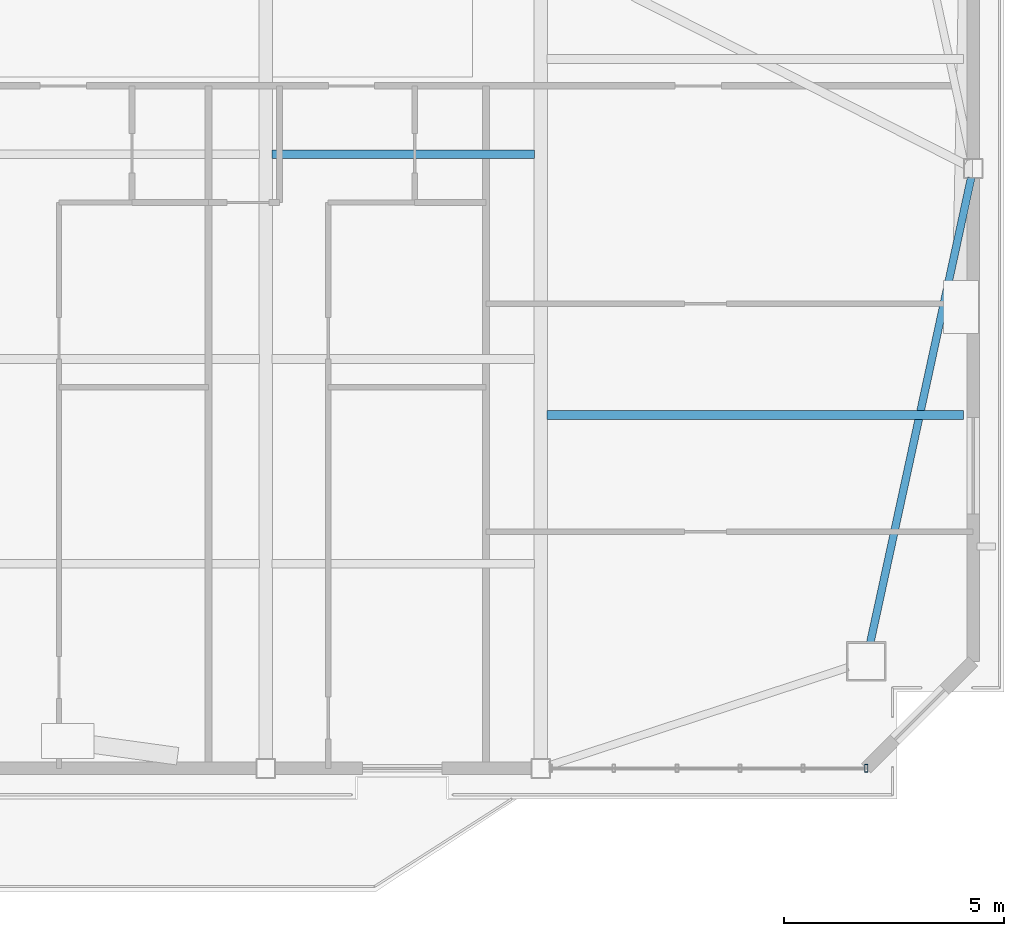
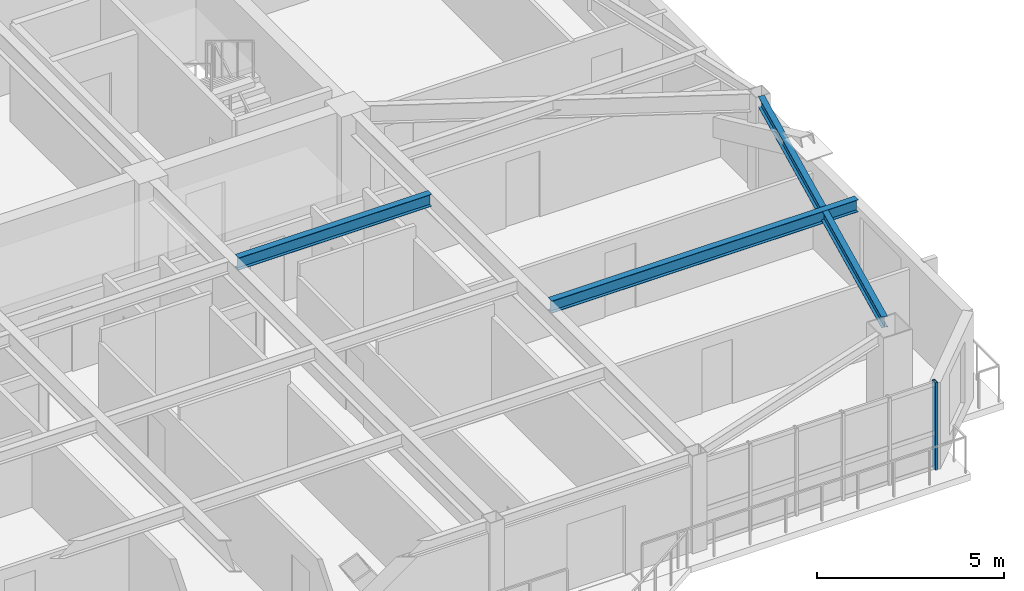
# One storey, part 5 of 15: 3 beams, 1 member, 1 element without a shape of its own.
"""IFC4 building model written with IfcOpenShell, lengths in metres."""

import ifcopenshell
import ifcopenshell.guid

model = None  # the IFC model being written
_history = None  # IfcOwnerHistory: only IFC2X3 demands one
_inside = {}  # id of a spatial element -> (the spatial element, [elements in it])
_under = {}  # id of a project, library or spatial element -> (it, [spatial elements below it])
_declared = {}  # id of a project -> (the project, [libraries it declares])
_typed = {}  # id of a type object -> (the type object, [elements of that type])
_made_of = {}  # id of a material, layer set ... -> (it, [elements and type objects made of it])


def new_model(schema):
    """Start an empty IFC model of exactly this schema.

    Asked for "IFC4X3", IfcOpenShell would pick the latest addendum, in which some entities
    have other attributes; the version numbers below select the first issue.
    IFC2X3 requires an IfcOwnerHistory on every rooted entity: one is made here for all.
    """
    global model, _history
    if schema == "IFC4X3":
        model = ifcopenshell.file(schema_version=(4, 3, 0, 0))
    else:
        model = ifcopenshell.file(schema=schema)
    _inside.clear()
    _under.clear()
    _declared.clear()
    _typed.clear()
    _made_of.clear()
    _history = None
    if model.schema == "IFC2X3":
        org = make("IfcOrganization", Name="unknown")
        user = make(
            "IfcPersonAndOrganization",
            ThePerson=make("IfcPerson", FamilyName="unknown"),
            TheOrganization=org,
        )
        app = make(
            "IfcApplication",
            ApplicationDeveloper=org,
            Version="unknown",
            ApplicationFullName="unknown",
            ApplicationIdentifier="unknown",
        )
        _history = make(
            "IfcOwnerHistory",
            OwningUser=user,
            OwningApplication=app,
            ChangeAction="ADDED",
            CreationDate=0,
        )
    return model


def make(cls, **values):
    """One entity of the class cls with the attributes given. An attribute that is None is left unset."""
    return model.create_entity(
        cls, **{name: value for name, value in values.items() if value is not None}
    )


def rooted(cls, **values):
    """An entity with a GlobalId (a new one), such as an element, a storey or a relation."""
    return make(cls, GlobalId=ifcopenshell.guid.new(), OwnerHistory=_history, **values)


def si_unit(unit_type, name, prefix=None):
    """IfcSIUnit, for example si_unit("LENGTHUNIT", "METRE", prefix="MILLI")."""
    return make("IfcSIUnit", UnitType=unit_type, Prefix=prefix, Name=name)


def assignment(units):
    """IfcUnitAssignment: the units of a project."""
    return None if units is None else make("IfcUnitAssignment", Units=units)


def point(xyz):
    """IfcCartesianPoint."""
    return None if xyz is None else make("IfcCartesianPoint", Coordinates=xyz)


def direction(xyz):
    """IfcDirection."""
    return None if xyz is None else make("IfcDirection", DirectionRatios=xyz)


def frame(location, z_axis=None, x_axis=None):
    """IfcAxis2Placement3D, a coordinate frame: its origin and axes. An axis left out is left unset."""
    return make(
        "IfcAxis2Placement3D",
        Location=point(location),
        Axis=direction(z_axis),
        RefDirection=direction(x_axis),
    )


def frame_2d(location, x_axis=None):
    """IfcAxis2Placement2D, a coordinate frame in the plane: its origin and x axis."""
    return make(
        "IfcAxis2Placement2D", Location=point(location), RefDirection=direction(x_axis)
    )


def origin():
    """The frame at (0, 0, 0) with its axes left unset."""
    return frame((0.0, 0.0, 0.0))


def origin_2d():
    """The frame at (0, 0) in the plane with its x axis left unset."""
    return frame_2d((0.0, 0.0))


def place(relative_to, where):
    """IfcLocalPlacement: puts the frame where relative to a parent placement (None: the world)."""
    return make(
        "IfcLocalPlacement", PlacementRelTo=relative_to, RelativePlacement=where
    )


def context(
    kind, dimensions, precision=None, world=None, true_north=None, identifier=None
):
    """IfcGeometricRepresentationContext, for example the 3D "Model" context."""
    return make(
        "IfcGeometricRepresentationContext",
        ContextIdentifier=identifier,
        ContextType=kind,
        CoordinateSpaceDimension=dimensions,
        Precision=precision,
        WorldCoordinateSystem=world,
        TrueNorth=true_north,
    )


def subcontext(parent, identifier, kind, view, scale=None):
    """IfcGeometricRepresentationSubContext, for example "Body" below "Model"."""
    return make(
        "IfcGeometricRepresentationSubContext",
        ContextIdentifier=identifier,
        ContextType=kind,
        ParentContext=parent,
        TargetScale=scale,
        TargetView=view,
    )


def project(units=None, contexts=None):
    """IfcProject with its units and contexts."""
    return rooted(
        "IfcProject",
        Name="project",
        RepresentationContexts=contexts,
        UnitsInContext=assignment(units),
    )


def spatial(cls, under=None, at=None, **own):
    """A site, building, storey or space (cls), placed at a placement, below another one or the project."""
    s = rooted(cls, ObjectPlacement=at, **own)
    if under is not None:
        _under.setdefault(under.id(), (under, []))[1].append(s)
    return s


def profile(cls, at=None, kind="AREA", **sizes):
    """A parametric profile (cls). Its sizes go by their IFC names, for example OverallWidth=200.0."""
    return make(cls, ProfileType=kind, Position=at, **sizes)


def hollow_rectangle(**sizes):
    """IfcRectangleHollowProfileDef."""
    return profile("IfcRectangleHollowProfileDef", **sizes)


def i_section(**sizes):
    """IfcIShapeProfileDef."""
    return profile("IfcIShapeProfileDef", **sizes)


def extrude(swept, where, along, depth):
    """IfcExtrudedAreaSolid: the profile swept, set in the frame where, extruded along a direction by depth."""
    return make(
        "IfcExtrudedAreaSolid",
        SweptArea=swept,
        Position=where,
        ExtrudedDirection=direction(along),
        Depth=depth,
    )


def shape(context_of_items, identifier, shape_type, items):
    """IfcShapeRepresentation: the items that make up one representation, for example the "Body"."""
    return make(
        "IfcShapeRepresentation",
        ContextOfItems=context_of_items,
        RepresentationIdentifier=identifier,
        RepresentationType=shape_type,
        Items=items,
    )


def source(mapping_origin, context_of_items, identifier, shape_type, items):
    """IfcRepresentationMap: a shape defined once, which mapped items show again and again."""
    return make(
        "IfcRepresentationMap",
        MappingOrigin=mapping_origin,
        MappedRepresentation=shape(context_of_items, identifier, shape_type, items),
    )


def transform(
    local_origin,
    x_axis=None,
    y_axis=None,
    z_axis=None,
    scale=None,
    scale2=None,
    scale3=None,
    uniform=True,
):
    """IfcCartesianTransformationOperator3D, or its non-uniform kind. x_axis, y_axis, z_axis: its Axis1, 2, 3."""
    if uniform:
        return make(
            "IfcCartesianTransformationOperator3D",
            Axis1=direction(x_axis),
            Axis2=direction(y_axis),
            LocalOrigin=point(local_origin),
            Scale=scale,
            Axis3=direction(z_axis),
        )
    return make(
        "IfcCartesianTransformationOperator3DnonUniform",
        Axis1=direction(x_axis),
        Axis2=direction(y_axis),
        LocalOrigin=point(local_origin),
        Scale=scale,
        Axis3=direction(z_axis),
        Scale2=scale2,
        Scale3=scale3,
    )


def mapped(mapping_source, mapping_target):
    """IfcMappedItem: shows the shape of a source again, moved by a transform."""
    return make(
        "IfcMappedItem", MappingSource=mapping_source, MappingTarget=mapping_target
    )


def material(Name=None, Category=None):
    """IfcMaterial."""
    return make("IfcMaterial", Name=Name, Category=Category)


def layer(
    of_material, thickness, ventilated=None, Name=None, Category=None, Priority=None
):
    """IfcMaterialLayer: one layer of a wall or slab, of a material (None: an air gap)."""
    return make(
        "IfcMaterialLayer",
        Material=of_material,
        LayerThickness=thickness,
        IsVentilated=ventilated,
        Name=Name,
        Category=Category,
        Priority=Priority,
    )


def layer_set(layers, Name=None):
    """IfcMaterialLayerSet."""
    return make("IfcMaterialLayerSet", MaterialLayers=layers, LayerSetName=Name)


def material_profile(
    of_material, cross_section, Name=None, Category=None, Priority=None
):
    """IfcMaterialProfile: a cross section and its material."""
    return make(
        "IfcMaterialProfile",
        Name=Name,
        Material=of_material,
        Profile=cross_section,
        Priority=Priority,
        Category=Category,
    )


def profile_set(profiles, Name=None, composite=None):
    """IfcMaterialProfileSet."""
    return make(
        "IfcMaterialProfileSet",
        Name=Name,
        MaterialProfiles=profiles,
        CompositeProfile=composite,
    )


def made_of(thing, what):
    """Note that an element or type object is made of a material, layer set ...; save() writes the relation."""
    if what is not None:
        _made_of.setdefault(what.id(), (what, []))[1].append(thing)
    return thing


def type_object(cls, material=None, **own):
    """A type object (cls), such as IfcWallType, which elements share."""
    return made_of(rooted(cls, **own), material)


def element(
    cls,
    number,
    at=None,
    inside=None,
    cuts=None,
    type_object=None,
    material=None,
    context=None,
    identifier="Body",
    shape_type=None,
    held_by="IfcProductDefinitionShape",
    body=None,
    shapes=None,
    **own,
):
    """One element of the class cls, such as IfcWall. Its Tag is "e" and its number.

    at: its placement. inside: the storey or other place that contains it. cuts: it is an
    opening in that element (IfcRelVoidsElement). A single representation is given by context,
    identifier, shape_type and body (its items); several are given by shapes. held_by: the class
    of the entity that holds the representations. save() writes the other relations.
    """
    e = rooted(cls, Tag="e%d" % number, ObjectPlacement=at, **own)
    if body is not None:
        shapes = [shape(context, identifier, shape_type, body)]
    if shapes is not None:
        e.Representation = make(held_by, Representations=shapes)
    if inside is not None:
        _inside.setdefault(inside.id(), (inside, []))[1].append(e)
    if cuts is not None:
        rooted(
            "IfcRelVoidsElement", RelatingBuildingElement=cuts, RelatedOpeningElement=e
        )
    if type_object is not None:
        _typed.setdefault(type_object.id(), (type_object, []))[1].append(e)
    return made_of(e, material)


def aggregate(whole, parts):
    """IfcRelAggregates: a whole, such as a stair, and the parts it consists of."""
    return rooted("IfcRelAggregates", RelatingObject=whole, RelatedObjects=parts)


def save(model, path):
    """Write the relations noted so far, then the file.

    IfcRelAggregates (storeys below a building ...), IfcRelContainedInSpatialStructure (elements
    in a storey), IfcRelDefinesByType, IfcRelAssociatesMaterial and IfcRelDeclares: one each for
    every whole, place, type object, material and project.
    """
    for whole, parts in _under.values():
        aggregate(whole, parts)
    for where, things in _inside.values():
        rooted(
            "IfcRelContainedInSpatialStructure",
            RelatedElements=things,
            RelatingStructure=where,
        )
    for kind, things in _typed.values():
        rooted("IfcRelDefinesByType", RelatedObjects=things, RelatingType=kind)
    for what, things in _made_of.values():
        rooted("IfcRelAssociatesMaterial", RelatedObjects=things, RelatingMaterial=what)
    for by, libraries in _declared.values():
        rooted("IfcRelDeclares", RelatingContext=by, RelatedDefinitions=libraries)
    model.write(path)


model = new_model("IFC4")

# Units and contexts
model_context = context("Model", 3, precision=1e-05, world=origin(), true_north=direction((0.0, 1.0)))
body_context = subcontext(model_context, "Body", "Model", "MODEL_VIEW")
ifc_project = project(units=[si_unit("LENGTHUNIT", "METRE"), si_unit("AREAUNIT", "SQUARE_METRE"), si_unit("VOLUMEUNIT", "CUBIC_METRE"), si_unit("PLANEANGLEUNIT", "RADIAN"), si_unit("MASSUNIT", "GRAM", prefix="KILO")], contexts=[model_context])

# Site, building, storey
site_placement = place(None, origin())
site = spatial("IfcSite", under=ifc_project, at=site_placement, CompositionType="ELEMENT")
building_placement = place(site_placement, origin())
building = spatial("IfcBuilding", under=site, at=building_placement, Name="Giltprow Tower", CompositionType="ELEMENT")
storey_placement = place(building_placement, frame((0.0, 0.0, 297.199951171875)))
storey = spatial("IfcBuildingStorey", under=building, at=storey_placement, Name="L76", CompositionType="ELEMENT", Elevation=297.199951171875)

# Beams
ifc_material_1 = material(Name="Structural steel Q355B", Category="steel")
ifc_material_profile_1 = material_profile(ifc_material_1, i_section(OverallWidth=0.199951171875, OverallDepth=0.39990234375, WebThickness=0.008056640625, FlangeThickness=0.012939453125, at=origin_2d()), Name="HN 400x200x8x13")
ifc_profile_set_1 = profile_set([ifc_material_profile_1], Name="Structural steel Q355B")
beam_type_1 = type_object("IfcBeamType", Name="BM-JOIST-HN400", PredefinedType="JOIST", material=ifc_profile_set_1)
shared_shape_1 = source(origin(), body_context, "Body", "SweptSolid", [
    extrude(i_section(OverallWidth=0.199951171875, OverallDepth=0.39990234375, WebThickness=0.008056640625, FlangeThickness=0.012939453125, at=origin_2d()), origin(), (0.0, 0.0, 1.0), 5.9599609375),
])
beam_1_placement = place(storey_placement, frame((44.445068359375, 32.798095703125, 2.985107421875), z_axis=(1.0, 0.0, 0.0), x_axis=(0.0, 1.0, 0.0)))
element("IfcBeam", 1, at=beam_1_placement, inside=storey, type_object=beam_type_1, Name="L76 Composite Floor Joist 3-4", PredefinedType="JOIST", context=body_context, shape_type="MappedRepresentation", body=[
    mapped(shared_shape_1, transform((0.0, 0.0, 0.0), x_axis=(1.0, 0.0, 0.0), y_axis=(0.0, 1.0, 0.0), z_axis=(0.0, 0.0, 1.0), scale=1.0)),
])
ifc_material_profile_2 = material_profile(ifc_material_1, i_section(OverallWidth=0.175048828125, OverallDepth=0.35009765625, WebThickness=0.007080078125, FlangeThickness=0.010986328125, at=origin_2d()), Name="HN 350x175x7x11")
ifc_profile_set_2 = profile_set([ifc_material_profile_2], Name="Structural steel Q355B")
beam_type_2 = type_object("IfcBeamType", Name="BM-SPAN-HN350", PredefinedType="SPANDREL", material=ifc_profile_set_2)
shared_shape_2 = source(origin(), body_context, "Body", "SweptSolid", [
    extrude(i_section(OverallWidth=0.175048828125, OverallDepth=0.35009765625, WebThickness=0.007080078125, FlangeThickness=0.010986328125, at=origin_2d()), origin(), (0.0, 0.0, 1.0), 10.815185546875),
])
beam_2_placement = place(storey_placement, frame((58.037109375, 21.697021484375, 3.010009765625), z_axis=(0.212104429767, 0.97724700607, 0.0), x_axis=(-0.97724700607, 0.212104429767, 0.0)))
element("IfcBeam", 2, at=beam_2_placement, inside=storey, type_object=beam_type_2, Name="L76 Perimeter Spandrel Beam MC_SE-E_MID", PredefinedType="SPANDREL", context=body_context, shape_type="MappedRepresentation", body=[
    mapped(shared_shape_2, transform((0.0, 0.0, 0.0), x_axis=(1.0, 0.0, 0.0), y_axis=(0.0, 1.0, 0.0), z_axis=(0.0, 0.0, 1.0), scale=1.0)),
])
shared_shape_3 = source(origin(), body_context, "Body", "SweptSolid", [
    extrude(i_section(OverallWidth=0.199951171875, OverallDepth=0.39990234375, WebThickness=0.008056640625, FlangeThickness=0.012939453125, at=origin_2d()), origin(), (0.0, 0.0, 1.0), 9.4609375),
])
beam_3_placement = place(storey_placement, frame((50.695068359375, 26.87109375, 2.985107421875), z_axis=(1.0, 0.0, 0.0), x_axis=(0.0, 1.0, 0.0)))
element("IfcBeam", 3, at=beam_3_placement, inside=storey, type_object=beam_type_1, Name="L76 East Wing Floor Joist 1", PredefinedType="JOIST", context=body_context, shape_type="MappedRepresentation", body=[
    mapped(shared_shape_3, transform((0.0, 0.0, 0.0), x_axis=(1.0, 0.0, 0.0), y_axis=(0.0, 1.0, 0.0), z_axis=(0.0, 0.0, 1.0), scale=1.0)),
])

# Curtain wall, member
ifc_material_2 = material(Name="Anodized bronze", Category="metal")
ifc_layer = layer(ifc_material_2, 0.179931640625, Name="Anodized bronze")
ifc_layer_set = layer_set([ifc_layer], Name="Anodized bronze")
curtain_wall_type = type_object("IfcCurtainWallType", Name="CW-RES-SKY", PredefinedType="NOTDEFINED", material=ifc_layer_set)
curtain_wall_placement = place(storey_placement, origin())
curtain_wall = element("IfcCurtainWall", 4, at=curtain_wall_placement, inside=storey, type_object=curtain_wall_type, Name="L76 South Recessed Curtain Wall 6", PredefinedType="NOTDEFINED")
ifc_material_profile_3 = material_profile(ifc_material_2, hollow_rectangle(XDim=0.074951171875, YDim=0.179931640625, WallThickness=0.008056640625, at=origin_2d()), Name="RHS 180x75x8")
ifc_profile_set_3 = profile_set([ifc_material_profile_3], Name="Anodized bronze")
member_type = type_object("IfcMemberType", Name="CW-MULLION-180x75", PredefinedType="MULLION", material=ifc_profile_set_3)
shared_shape_4 = source(origin(), body_context, "Body", "SweptSolid", [
    extrude(hollow_rectangle(XDim=0.074951171875, YDim=0.179931640625, WallThickness=0.008056640625, at=origin_2d()), origin(), (0.0, 0.0, 1.0), 2.8701171875),
])
member_placement = place(storey_placement, frame((57.945068359375, 18.841064453125, -0.02001953125), z_axis=(0.0, 0.0, 1.0), x_axis=(1.0, 0.0, 0.0)))
member = element("IfcMember", 5, at=member_placement, type_object=member_type, Name="L76 South Recessed Curtain Wall 6 Mullion 6", PredefinedType="MULLION", context=body_context, shape_type="MappedRepresentation", body=[
    mapped(shared_shape_4, transform((0.0, 0.0, 0.0), x_axis=(1.0, 0.0, 0.0), y_axis=(0.0, 1.0, 0.0), z_axis=(0.0, 0.0, 1.0), scale=1.0)),
])
aggregate(curtain_wall, [member])

save(model, "model.ifc")
